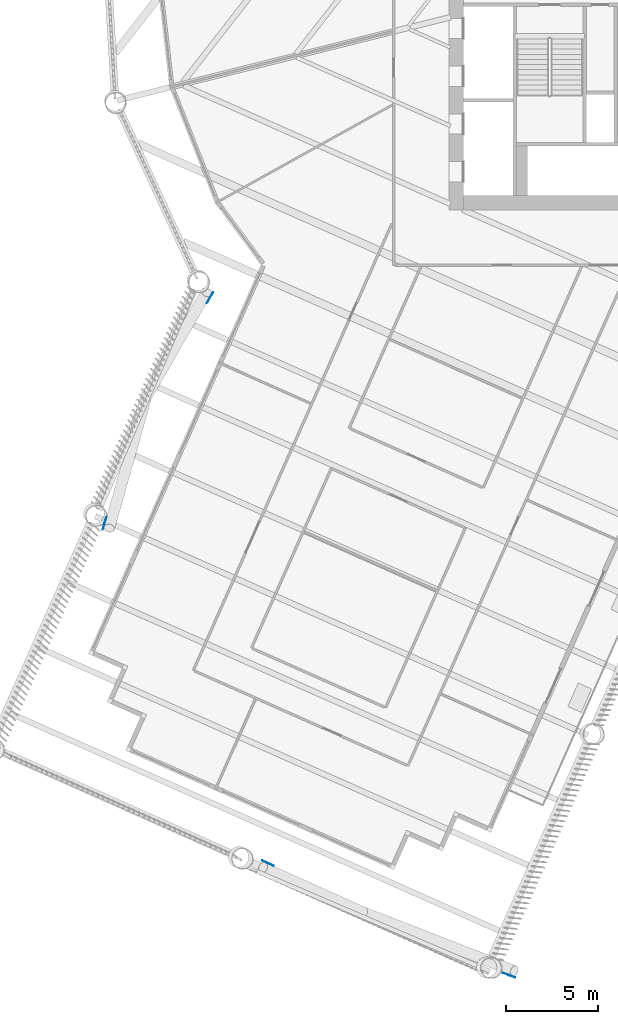
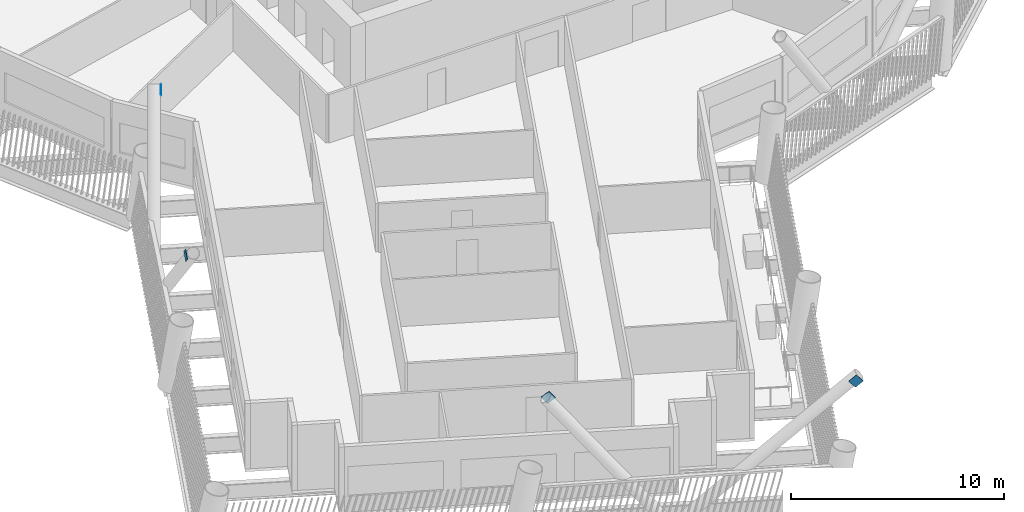
# One storey, part 9 of 22: 4 discrete accessories.
"""IFC4 building model written with IfcOpenShell, lengths in metres."""

from ifc_helpers import new_model, si_unit, direction, frame, origin, origin_2d, place, context, subcontext, project, spatial, rectangle, extrude, material, material_profile, profile_set, type_object, element, save


model = new_model("IFC4")

# Units and contexts
model_context = context("Model", 3, precision=1e-05, world=origin(), true_north=direction((0.0, 1.0)))
body_context = subcontext(model_context, "Body", "Model", "MODEL_VIEW")
ifc_project = project(units=[si_unit("LENGTHUNIT", "METRE"), si_unit("AREAUNIT", "SQUARE_METRE"), si_unit("VOLUMEUNIT", "CUBIC_METRE"), si_unit("PLANEANGLEUNIT", "RADIAN"), si_unit("MASSUNIT", "GRAM", prefix="KILO")], contexts=[model_context])

# Site, building, storey
site_placement = place(None, origin())
site = spatial("IfcSite", under=ifc_project, at=site_placement, CompositionType="ELEMENT")
building_placement = place(site_placement, origin())
building = spatial("IfcBuilding", under=site, at=building_placement, Name="Tarsis Ring Headquarters", CompositionType="ELEMENT")
storey_placement = place(building_placement, frame((0.0, 0.0, 116.199951171875)))
storey = spatial("IfcBuildingStorey", under=building, at=storey_placement, Name="L26", CompositionType="ELEMENT", Elevation=116.199951171875)

# Discrete accessories
ifc_material = material(Name="Structural steel S355", Category="steel")
ifc_material_profile = material_profile(ifc_material, rectangle(XDim=0.02490234375, YDim=0.5, at=origin_2d()), Name="PL 25x500")
ifc_profile_set = profile_set([ifc_material_profile], Name="Structural steel S355")
discrete_accessory_type = type_object("IfcDiscreteAccessoryType", Name="Gusset plate Exo brace 25", PredefinedType="BRACKET", material=ifc_profile_set)
for number, where, z_axis, x_axis, name in (
    (1, (-28.8115234375, -30.237060546875, 7.800048828125), (0.186506607636, 0.663514344967, -0.724543994062), (-0.962691316841, 0.27060197427, 0.0), "Gusset plate GP5"),
    (2, (-22.933349609375, -17.6279296875, 7.800048828125), (-0.322238429167, -0.559523090645, -0.763607429117), (0.866563000652, -0.499067696711, 0.0), "Gusset plate GP5"),
    (3, (-6.552001953125, -54.751708984375, 7.800048828125), (-0.69909533634, 0.271436457406, -0.66150431616), (-0.361943576905, -0.932200003828, 0.0), "Gusset plate GP5"),
    (4, (-19.99072265625, -48.526611328125, 7.800048828125), (0.554257762231, -0.248073077721, -0.79451751467), (0.408524755817, 0.912747239867, 0.0), "Gusset plate GP5"),
):
    element("IfcDiscreteAccessory", number, at=place(storey_placement, frame(where, z_axis=z_axis, x_axis=x_axis)), inside=storey, type_object=discrete_accessory_type, Name=name, PredefinedType="BRACKET", context=body_context, shape_type="SweptSolid", body=[
        extrude(rectangle(XDim=0.02490234375, YDim=0.5, at=origin_2d()), origin(), (0.0, 0.0, 1.0), 0.5),
    ])

save(model, "model.ifc")
